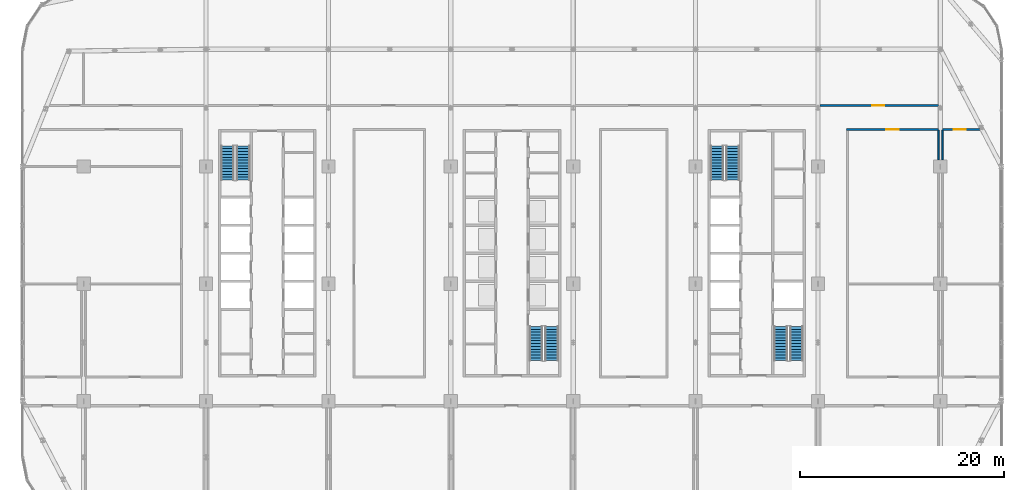
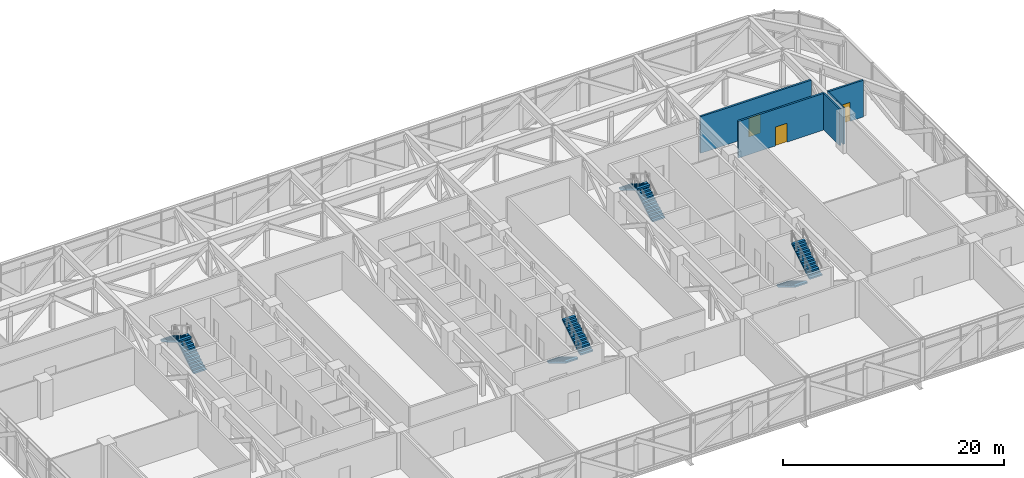
# One storey, part 21 of 30: 8 stair flights, 5 walls, 3 doors, 3 openings, 4 elements without a shape of their own.
"""IFC4 building model written with IfcOpenShell, lengths in metres."""

from ifc_helpers import new_model, si_unit, direction, frame, frame_2d, origin, place, context, subcontext, project, spatial, polyline, rectangle, outline, extrude, material, layer, layer_set, type_object, element, fill, aggregate, save


model = new_model("IFC4")

# Units and contexts
model_context = context("Model", 3, precision=1e-05, world=origin(), true_north=direction((0.0, 1.0)))
body_context = subcontext(model_context, "Body", "Model", "MODEL_VIEW")
ifc_project = project(units=[si_unit("LENGTHUNIT", "METRE"), si_unit("AREAUNIT", "SQUARE_METRE"), si_unit("VOLUMEUNIT", "CUBIC_METRE"), si_unit("PLANEANGLEUNIT", "RADIAN"), si_unit("MASSUNIT", "GRAM", prefix="KILO")], contexts=[model_context])

# Site, building, storey
site_placement = place(None, origin())
site = spatial("IfcSite", under=ifc_project, at=site_placement, CompositionType="ELEMENT")
building_placement = place(site_placement, origin())
building = spatial("IfcBuilding", under=site, at=building_placement, Name="Mahtab Terrace Research Tower", CompositionType="ELEMENT")
storey_placement = place(building_placement, frame((0.0, 0.0, 154.800048828125)))
storey = spatial("IfcBuildingStorey", under=building, at=storey_placement, Name="L36", CompositionType="ELEMENT", Elevation=154.800048828125)

# Wall, opening, door
ifc_material_1 = material(Name="Gypsum board corridor wall on steel studs", Category="steel")
ifc_layer_1 = layer(ifc_material_1, 0.199951171875)
ifc_layer_set_1 = layer_set([ifc_layer_1], Name="WALL CORRIDOR 200")
wall_type_1 = type_object("IfcWallType", Name="WALL CORRIDOR 200", PredefinedType="PARTITIONING", material=ifc_layer_set_1)
wall_1_placement = place(storey_placement, frame((32.800048828125, 15.125, 0.0), z_axis=(0.0, 0.0, 1.0), x_axis=(1.0, 0.0, 0.0)))
wall_1 = element("IfcWall", 1, at=wall_1_placement, inside=storey, type_object=wall_type_1, Name="L36-W025", PredefinedType="PARTITIONING", context=body_context, shape_type="SweptSolid", body=[
    extrude(rectangle(XDim=9.0, YDim=0.199951171875, at=frame_2d((4.5, 0.0))), origin(), (0.0, 0.0, 1.0), 4.06005859375),
])
opening_1_placement = place(wall_1_placement, frame((3.89990234375, 0.0, 0.0)))
opening_1 = element("IfcOpeningElement", 2, at=opening_1_placement, cuts=wall_1, Name="Opening L36-117", PredefinedType="OPENING", context=body_context, shape_type="SweptSolid", body=[
    extrude(rectangle(XDim=1.199951171875, YDim=2.10009765625, at=frame_2d((0.60009765625, 1.050048828125))), frame((0.0, 0.10986328125, 0.0), z_axis=(0.0, -1.0, 0.0), x_axis=(1.0, 0.0, 0.0)), (0.0, 0.0, 1.0), 0.219970703125),
])
ifc_material_2 = material(Name="Timber door leaf in steel frame", Category="steel")
door_type = type_object("IfcDoorType", Name="DOOR 1200X2100 FD30S", OperationType="SINGLE_SWING_LEFT", PredefinedType="DOOR", material=ifc_material_2)
door_1_placement = place(opening_1_placement, origin())
door_1 = element("IfcDoor", 3, at=door_1_placement, inside=storey, type_object=door_type, Name="Door L36-117", OperationType="SINGLE_SWING_RIGHT", OverallHeight=2.10009765625, OverallWidth=1.199951171875, PredefinedType="DOOR", context=body_context, shape_type="SweptSolid", body=[
    extrude(rectangle(XDim=1.199951171875, YDim=2.10009765625, at=frame_2d((0.60009765625, 1.050048828125))), frame((0.0, 0.02490234375, 0.0), z_axis=(0.0, -1.0, 0.0), x_axis=(1.0, 0.0, 0.0)), (0.0, 0.0, 1.0), 0.050048828125),
])
fill(opening_1, door_1)

wall_2_placement = place(storey_placement, frame((42.199951171875, 15.125, 0.0), z_axis=(0.0, 0.0, 1.0), x_axis=(1.0, 0.0, 0.0)))
wall_2 = element("IfcWall", 4, at=wall_2_placement, inside=storey, type_object=wall_type_1, Name="L36-W026", PredefinedType="PARTITIONING", context=body_context, shape_type="SweptSolid", body=[
    extrude(rectangle(XDim=3.682861328125, YDim=0.199951171875, at=frame_2d((1.84130859375, 0.0))), origin(), (0.0, 0.0, 1.0), 4.06005859375),
])
opening_2_placement = place(wall_2_placement, frame((1.10009765625, 0.0, 0.0)))
opening_2 = element("IfcOpeningElement", 5, at=opening_2_placement, cuts=wall_2, Name="Opening L36-118", PredefinedType="OPENING", context=body_context, shape_type="SweptSolid", body=[
    extrude(rectangle(XDim=1.199951171875, YDim=2.10009765625, at=frame_2d((0.60009765625, 1.050048828125))), frame((0.0, 0.10986328125, 0.0), z_axis=(0.0, -1.0, 0.0), x_axis=(1.0, 0.0, 0.0)), (0.0, 0.0, 1.0), 0.219970703125),
])
door_2_placement = place(opening_2_placement, origin())
door_2 = element("IfcDoor", 6, at=door_2_placement, inside=storey, type_object=door_type, Name="Door L36-118", OperationType="SINGLE_SWING_RIGHT", OverallHeight=2.10009765625, OverallWidth=1.199951171875, PredefinedType="DOOR", context=body_context, shape_type="SweptSolid", body=[
    extrude(rectangle(XDim=1.199951171875, YDim=2.10009765625, at=frame_2d((0.60009765625, 1.050048828125))), frame((0.0, 0.02490234375, 0.0), z_axis=(0.0, -1.0, 0.0), x_axis=(1.0, 0.0, 0.0)), (0.0, 0.0, 1.0), 0.050048828125),
])
fill(opening_2, door_2)

wall_3_placement = place(storey_placement, frame((30.199951171875, 17.5, 0.0), z_axis=(0.0, 0.0, 1.0), x_axis=(1.0, 0.0, 0.0)))
wall_3 = element("IfcWall", 7, at=wall_3_placement, inside=storey, type_object=wall_type_1, Name="L36-W033", PredefinedType="PARTITIONING", context=body_context, shape_type="SweptSolid", body=[
    extrude(rectangle(XDim=11.60009765625, YDim=0.199951171875, at=frame_2d((5.800048828125, 0.0))), origin(), (0.0, 0.0, 1.0), 4.06005859375),
])
opening_3_placement = place(wall_3_placement, frame((5.10009765625, 0.0, 0.0)))
opening_3 = element("IfcOpeningElement", 8, at=opening_3_placement, cuts=wall_3, Name="Opening L36-127", PredefinedType="OPENING", context=body_context, shape_type="SweptSolid", body=[
    extrude(rectangle(XDim=1.199951171875, YDim=2.10009765625, at=frame_2d((0.60009765625, 1.050048828125))), frame((0.0, 0.10986328125, 0.0), z_axis=(0.0, -1.0, 0.0), x_axis=(1.0, 0.0, 0.0)), (0.0, 0.0, 1.0), 0.219970703125),
])
door_3_placement = place(opening_3_placement, origin())
door_3 = element("IfcDoor", 9, at=door_3_placement, inside=storey, type_object=door_type, Name="Door L36-127", OperationType="SINGLE_SWING_LEFT", OverallHeight=2.10009765625, OverallWidth=1.199951171875, PredefinedType="DOOR", context=body_context, shape_type="SweptSolid", body=[
    extrude(rectangle(XDim=1.199951171875, YDim=2.10009765625, at=frame_2d((0.60009765625, 1.050048828125))), frame((0.0, 0.02490234375, 0.0), z_axis=(0.0, -1.0, 0.0), x_axis=(1.0, 0.0, 0.0)), (0.0, 0.0, 1.0), 0.050048828125),
])
fill(opening_3, door_3)

# Walls
ifc_material_3 = material(Name="Gypsum board partition on steel studs", Category="steel")
ifc_layer_2 = layer(ifc_material_3, 0.14990234375)
ifc_layer_set_2 = layer_set([ifc_layer_2], Name="WALL PARTITION 150")
wall_type_2 = type_object("IfcWallType", Name="WALL PARTITION 150", PredefinedType="PARTITIONING", material=ifc_layer_set_2)
for number, where, z_axis, x_axis, name in (
    (10, (41.800048828125, 12.14990234375, 0.0), (0.0, 0.0, 1.0), (0.0, 1.0, 0.0), "L36-W059"),
    (11, (42.199951171875, 12.14990234375, 0.0), (0.0, 0.0, 1.0), (0.0, 1.0, 0.0), "L36-W062"),
):
    element("IfcWall", number, at=place(storey_placement, frame(where, z_axis=z_axis, x_axis=x_axis)), inside=storey, type_object=wall_type_2, Name=name, PredefinedType="PARTITIONING", context=body_context, shape_type="SweptSolid", body=[
        extrude(rectangle(XDim=2.925048828125, YDim=0.14990234375, at=frame_2d((1.46240234375, 0.0))), origin(), (0.0, 0.0, 1.0), 4.06005859375),
    ])

# Stair, stair flights
ifc_material_4 = material(Name="Exit stair half-turn")
stair_type = type_object("IfcStairType", Name="Exit stair half-turn", PredefinedType="HALF_TURN_STAIR", material=ifc_material_4)
stair_1_placement = place(storey_placement, origin())
stair_1 = element("IfcStair", 12, at=stair_1_placement, inside=storey, type_object=stair_type, Name="L36 Protected exit stair ST1", PredefinedType="HALF_TURN_STAIR")
ifc_material_5 = material(Name="Concrete C40/50", Category="concrete")
stair_flight_type = type_object("IfcStairFlightType", Name="Exit stair flight 1300", PredefinedType="STRAIGHT", material=ifc_material_5)
stair_flight_1_placement = place(storey_placement, frame((-26.35009765625, 10.175048828125, 0.0), z_axis=(0.0, 0.0, 1.0), x_axis=(0.0, 1.0, 0.0)))
stair_flight_1 = element("IfcStairFlight", 13, at=stair_flight_1_placement, type_object=stair_flight_type, Name="ST1 flight 1", NumberOfRisers=13, NumberOfTreads=12, PredefinedType="STRAIGHT", RiserHeight=0.169230769, TreadLength=0.28, context=body_context, shape_type="SweptSolid", body=[
    extrude(outline(polyline([(0.0, 0.0), (0.0, 0.169189453125), (0.280029296875, 0.169189453125), (0.280029296875, 0.33837890625), (0.56005859375, 0.33837890625), (0.56005859375, 0.5078125), (0.840087890625, 0.5078125), (0.840087890625, 0.677001953125), (1.1201171875, 0.677001953125), (1.1201171875, 0.84619140625), (1.39990234375, 0.84619140625), (1.39990234375, 1.015380859375), (1.679931640625, 1.015380859375), (1.679931640625, 1.1845703125), (1.9599609375, 1.1845703125), (1.9599609375, 1.353759765625), (2.239990234375, 1.353759765625), (2.239990234375, 1.523193359375), (2.52001953125, 1.523193359375), (2.52001953125, 1.6923828125), (2.800048828125, 1.6923828125), (2.800048828125, 1.861572265625), (3.080078125, 1.861572265625), (3.080078125, 2.03076171875), (3.360107421875, 2.03076171875), (3.360107421875, 2.199951171875), (3.360107421875, 1.855712890625), (0.289794921875, 0.0), (0.0, 0.0)])), frame((0.0, 0.64990234375, 0.0), z_axis=(0.0, -1.0, 0.0), x_axis=(1.0, 0.0, 0.0)), (0.0, 0.0, 1.0), 1.300048828125),
])
stair_flight_2_placement = place(storey_placement, frame((-27.89990234375, 13.534912109375, 2.199951171875), z_axis=(0.0, 0.0, 1.0), x_axis=(0.0, -1.0, 0.0)))
stair_flight_2 = element("IfcStairFlight", 14, at=stair_flight_2_placement, type_object=stair_flight_type, Name="ST1 flight 2", NumberOfRisers=13, NumberOfTreads=12, PredefinedType="STRAIGHT", RiserHeight=0.169230769, TreadLength=0.28, context=body_context, shape_type="SweptSolid", body=[
    extrude(outline(polyline([(0.0, 0.0), (0.0, 0.169189453125), (0.280029296875, 0.169189453125), (0.280029296875, 0.33837890625), (0.56005859375, 0.33837890625), (0.56005859375, 0.5078125), (0.840087890625, 0.5078125), (0.840087890625, 0.677001953125), (1.1201171875, 0.677001953125), (1.1201171875, 0.84619140625), (1.39990234375, 0.84619140625), (1.39990234375, 1.015380859375), (1.679931640625, 1.015380859375), (1.679931640625, 1.1845703125), (1.9599609375, 1.1845703125), (1.9599609375, 1.353759765625), (2.239990234375, 1.353759765625), (2.239990234375, 1.523193359375), (2.52001953125, 1.523193359375), (2.52001953125, 1.6923828125), (2.800048828125, 1.6923828125), (2.800048828125, 1.861572265625), (3.080078125, 1.861572265625), (3.080078125, 2.03076171875), (3.360107421875, 2.03076171875), (3.360107421875, 2.199951171875), (3.360107421875, 1.855712890625), (0.289794921875, 0.0), (0.0, 0.0)])), frame((0.0, 0.64990234375, 0.0), z_axis=(0.0, -1.0, 0.0), x_axis=(1.0, 0.0, 0.0)), (0.0, 0.0, 1.0), 1.300048828125),
])
aggregate(stair_1, [stair_flight_1, stair_flight_2])

stair_2_placement = place(storey_placement, origin())
stair_2 = element("IfcStair", 15, at=stair_2_placement, inside=storey, type_object=stair_type, Name="L36 Protected exit stair ST2", PredefinedType="HALF_TURN_STAIR")
stair_flight_3_placement = place(storey_placement, frame((2.35009765625, -4.175048828125, 0.0), z_axis=(0.0, 0.0, 1.0), x_axis=(0.0, -1.0, 0.0)))
stair_flight_3 = element("IfcStairFlight", 16, at=stair_flight_3_placement, type_object=stair_flight_type, Name="ST2 flight 1", NumberOfRisers=13, NumberOfTreads=12, PredefinedType="STRAIGHT", RiserHeight=0.169230769, TreadLength=0.28, context=body_context, shape_type="SweptSolid", body=[
    extrude(outline(polyline([(0.0, 0.0), (0.0, 0.169189453125), (0.280029296875, 0.169189453125), (0.280029296875, 0.33837890625), (0.56005859375, 0.33837890625), (0.56005859375, 0.5078125), (0.840087890625, 0.5078125), (0.840087890625, 0.677001953125), (1.1201171875, 0.677001953125), (1.1201171875, 0.84619140625), (1.39990234375, 0.84619140625), (1.39990234375, 1.015380859375), (1.679931640625, 1.015380859375), (1.679931640625, 1.1845703125), (1.9599609375, 1.1845703125), (1.9599609375, 1.353759765625), (2.239990234375, 1.353759765625), (2.239990234375, 1.523193359375), (2.52001953125, 1.523193359375), (2.52001953125, 1.6923828125), (2.800048828125, 1.6923828125), (2.800048828125, 1.861572265625), (3.080078125, 1.861572265625), (3.080078125, 2.03076171875), (3.360107421875, 2.03076171875), (3.360107421875, 2.199951171875), (3.360107421875, 1.855712890625), (0.289794921875, 0.0), (0.0, 0.0)])), frame((0.0, 0.64990234375, 0.0), z_axis=(0.0, -1.0, 0.0), x_axis=(1.0, 0.0, 0.0)), (0.0, 0.0, 1.0), 1.300048828125),
])
stair_flight_4_placement = place(storey_placement, frame((3.89990234375, -7.534912109375, 2.199951171875), z_axis=(0.0, 0.0, 1.0), x_axis=(0.0, 1.0, 0.0)))
stair_flight_4 = element("IfcStairFlight", 17, at=stair_flight_4_placement, type_object=stair_flight_type, Name="ST2 flight 2", NumberOfRisers=13, NumberOfTreads=12, PredefinedType="STRAIGHT", RiserHeight=0.169230769, TreadLength=0.28, context=body_context, shape_type="SweptSolid", body=[
    extrude(outline(polyline([(0.0, 0.0), (0.0, 0.169189453125), (0.280029296875, 0.169189453125), (0.280029296875, 0.33837890625), (0.56005859375, 0.33837890625), (0.56005859375, 0.5078125), (0.840087890625, 0.5078125), (0.840087890625, 0.677001953125), (1.1201171875, 0.677001953125), (1.1201171875, 0.84619140625), (1.39990234375, 0.84619140625), (1.39990234375, 1.015380859375), (1.679931640625, 1.015380859375), (1.679931640625, 1.1845703125), (1.9599609375, 1.1845703125), (1.9599609375, 1.353759765625), (2.239990234375, 1.353759765625), (2.239990234375, 1.523193359375), (2.52001953125, 1.523193359375), (2.52001953125, 1.6923828125), (2.800048828125, 1.6923828125), (2.800048828125, 1.861572265625), (3.080078125, 1.861572265625), (3.080078125, 2.03076171875), (3.360107421875, 2.03076171875), (3.360107421875, 2.199951171875), (3.360107421875, 1.855712890625), (0.289794921875, 0.0), (0.0, 0.0)])), frame((0.0, 0.64990234375, 0.0), z_axis=(0.0, -1.0, 0.0), x_axis=(1.0, 0.0, 0.0)), (0.0, 0.0, 1.0), 1.300048828125),
])
aggregate(stair_2, [stair_flight_3, stair_flight_4])

stair_3_placement = place(storey_placement, origin())
stair_3 = element("IfcStair", 18, at=stair_3_placement, inside=storey, type_object=stair_type, Name="L36 Protected exit stair ST3", PredefinedType="HALF_TURN_STAIR")
stair_flight_5_placement = place(storey_placement, frame((21.64990234375, 10.175048828125, 0.0), z_axis=(0.0, 0.0, 1.0), x_axis=(0.0, 1.0, 0.0)))
stair_flight_5 = element("IfcStairFlight", 19, at=stair_flight_5_placement, type_object=stair_flight_type, Name="ST3 flight 1", NumberOfRisers=13, NumberOfTreads=12, PredefinedType="STRAIGHT", RiserHeight=0.169230769, TreadLength=0.28, context=body_context, shape_type="SweptSolid", body=[
    extrude(outline(polyline([(0.0, 0.0), (0.0, 0.169189453125), (0.280029296875, 0.169189453125), (0.280029296875, 0.33837890625), (0.56005859375, 0.33837890625), (0.56005859375, 0.5078125), (0.840087890625, 0.5078125), (0.840087890625, 0.677001953125), (1.1201171875, 0.677001953125), (1.1201171875, 0.84619140625), (1.39990234375, 0.84619140625), (1.39990234375, 1.015380859375), (1.679931640625, 1.015380859375), (1.679931640625, 1.1845703125), (1.9599609375, 1.1845703125), (1.9599609375, 1.353759765625), (2.239990234375, 1.353759765625), (2.239990234375, 1.523193359375), (2.52001953125, 1.523193359375), (2.52001953125, 1.6923828125), (2.800048828125, 1.6923828125), (2.800048828125, 1.861572265625), (3.080078125, 1.861572265625), (3.080078125, 2.03076171875), (3.360107421875, 2.03076171875), (3.360107421875, 2.199951171875), (3.360107421875, 1.855712890625), (0.289794921875, 0.0), (0.0, 0.0)])), frame((0.0, 0.64990234375, 0.0), z_axis=(0.0, -1.0, 0.0), x_axis=(1.0, 0.0, 0.0)), (0.0, 0.0, 1.0), 1.300048828125),
])
stair_flight_6_placement = place(storey_placement, frame((20.10009765625, 13.534912109375, 2.199951171875), z_axis=(0.0, 0.0, 1.0), x_axis=(0.0, -1.0, 0.0)))
stair_flight_6 = element("IfcStairFlight", 20, at=stair_flight_6_placement, type_object=stair_flight_type, Name="ST3 flight 2", NumberOfRisers=13, NumberOfTreads=12, PredefinedType="STRAIGHT", RiserHeight=0.169230769, TreadLength=0.28, context=body_context, shape_type="SweptSolid", body=[
    extrude(outline(polyline([(0.0, 0.0), (0.0, 0.169189453125), (0.280029296875, 0.169189453125), (0.280029296875, 0.33837890625), (0.56005859375, 0.33837890625), (0.56005859375, 0.5078125), (0.840087890625, 0.5078125), (0.840087890625, 0.677001953125), (1.1201171875, 0.677001953125), (1.1201171875, 0.84619140625), (1.39990234375, 0.84619140625), (1.39990234375, 1.015380859375), (1.679931640625, 1.015380859375), (1.679931640625, 1.1845703125), (1.9599609375, 1.1845703125), (1.9599609375, 1.353759765625), (2.239990234375, 1.353759765625), (2.239990234375, 1.523193359375), (2.52001953125, 1.523193359375), (2.52001953125, 1.6923828125), (2.800048828125, 1.6923828125), (2.800048828125, 1.861572265625), (3.080078125, 1.861572265625), (3.080078125, 2.03076171875), (3.360107421875, 2.03076171875), (3.360107421875, 2.199951171875), (3.360107421875, 1.855712890625), (0.289794921875, 0.0), (0.0, 0.0)])), frame((0.0, 0.64990234375, 0.0), z_axis=(0.0, -1.0, 0.0), x_axis=(1.0, 0.0, 0.0)), (0.0, 0.0, 1.0), 1.300048828125),
])
aggregate(stair_3, [stair_flight_5, stair_flight_6])

stair_4_placement = place(storey_placement, origin())
stair_4 = element("IfcStair", 21, at=stair_4_placement, inside=storey, type_object=stair_type, Name="L36 Protected exit stair ST4", PredefinedType="HALF_TURN_STAIR")
stair_flight_7_placement = place(storey_placement, frame((26.35009765625, -4.175048828125, 0.0), z_axis=(0.0, 0.0, 1.0), x_axis=(0.0, -1.0, 0.0)))
stair_flight_7 = element("IfcStairFlight", 22, at=stair_flight_7_placement, type_object=stair_flight_type, Name="ST4 flight 1", NumberOfRisers=13, NumberOfTreads=12, PredefinedType="STRAIGHT", RiserHeight=0.169230769, TreadLength=0.28, context=body_context, shape_type="SweptSolid", body=[
    extrude(outline(polyline([(0.0, 0.0), (0.0, 0.169189453125), (0.280029296875, 0.169189453125), (0.280029296875, 0.33837890625), (0.56005859375, 0.33837890625), (0.56005859375, 0.5078125), (0.840087890625, 0.5078125), (0.840087890625, 0.677001953125), (1.1201171875, 0.677001953125), (1.1201171875, 0.84619140625), (1.39990234375, 0.84619140625), (1.39990234375, 1.015380859375), (1.679931640625, 1.015380859375), (1.679931640625, 1.1845703125), (1.9599609375, 1.1845703125), (1.9599609375, 1.353759765625), (2.239990234375, 1.353759765625), (2.239990234375, 1.523193359375), (2.52001953125, 1.523193359375), (2.52001953125, 1.6923828125), (2.800048828125, 1.6923828125), (2.800048828125, 1.861572265625), (3.080078125, 1.861572265625), (3.080078125, 2.03076171875), (3.360107421875, 2.03076171875), (3.360107421875, 2.199951171875), (3.360107421875, 1.855712890625), (0.289794921875, 0.0), (0.0, 0.0)])), frame((0.0, 0.64990234375, 0.0), z_axis=(0.0, -1.0, 0.0), x_axis=(1.0, 0.0, 0.0)), (0.0, 0.0, 1.0), 1.300048828125),
])
stair_flight_8_placement = place(storey_placement, frame((27.89990234375, -7.534912109375, 2.199951171875), z_axis=(0.0, 0.0, 1.0), x_axis=(0.0, 1.0, 0.0)))
stair_flight_8 = element("IfcStairFlight", 23, at=stair_flight_8_placement, type_object=stair_flight_type, Name="ST4 flight 2", NumberOfRisers=13, NumberOfTreads=12, PredefinedType="STRAIGHT", RiserHeight=0.169230769, TreadLength=0.28, context=body_context, shape_type="SweptSolid", body=[
    extrude(outline(polyline([(0.0, 0.0), (0.0, 0.169189453125), (0.280029296875, 0.169189453125), (0.280029296875, 0.33837890625), (0.56005859375, 0.33837890625), (0.56005859375, 0.5078125), (0.840087890625, 0.5078125), (0.840087890625, 0.677001953125), (1.1201171875, 0.677001953125), (1.1201171875, 0.84619140625), (1.39990234375, 0.84619140625), (1.39990234375, 1.015380859375), (1.679931640625, 1.015380859375), (1.679931640625, 1.1845703125), (1.9599609375, 1.1845703125), (1.9599609375, 1.353759765625), (2.239990234375, 1.353759765625), (2.239990234375, 1.523193359375), (2.52001953125, 1.523193359375), (2.52001953125, 1.6923828125), (2.800048828125, 1.6923828125), (2.800048828125, 1.861572265625), (3.080078125, 1.861572265625), (3.080078125, 2.03076171875), (3.360107421875, 2.03076171875), (3.360107421875, 2.199951171875), (3.360107421875, 1.855712890625), (0.289794921875, 0.0), (0.0, 0.0)])), frame((0.0, 0.64990234375, 0.0), z_axis=(0.0, -1.0, 0.0), x_axis=(1.0, 0.0, 0.0)), (0.0, 0.0, 1.0), 1.300048828125),
])
aggregate(stair_4, [stair_flight_7, stair_flight_8])

save(model, "model.ifc")
